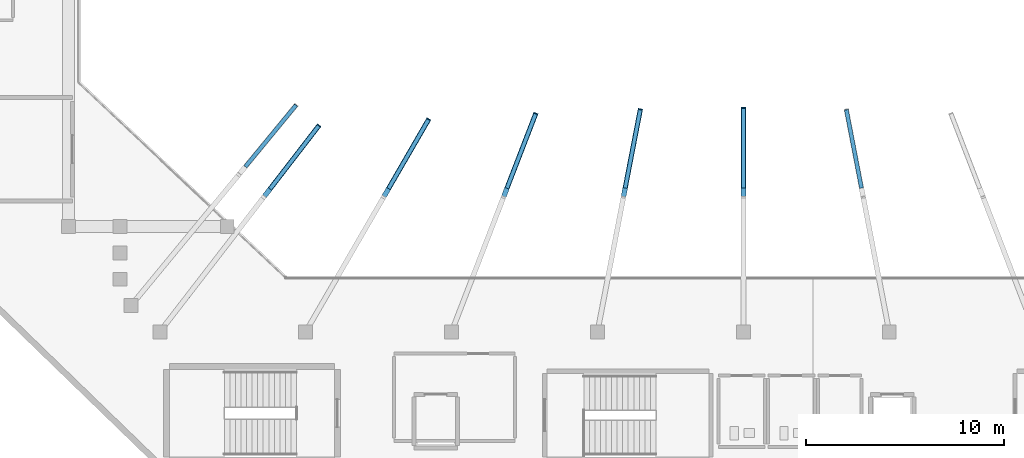
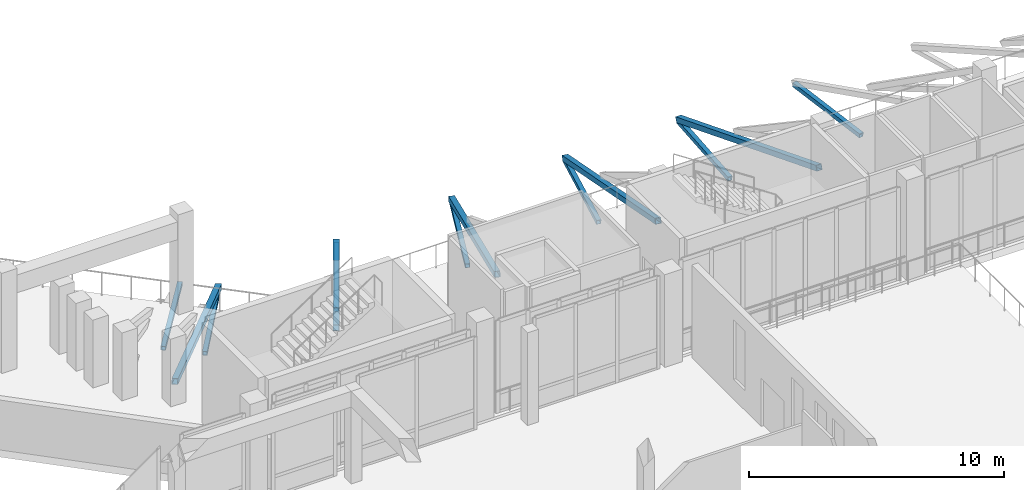
# One storey, part 14 of 79: 12 members.
"""IFC4 building model written with IfcOpenShell, lengths in metres."""

from ifc_helpers import new_model, si_unit, derived_unit, direction, frame, origin, origin_2d, place, context, subcontext, project, spatial, hollow_rectangle, extrude, material, material_profile, profile_set, type_object, element, save


model = new_model("IFC4")

# Units and contexts
model_context = context("Model", 3, precision=1e-05, world=origin(), true_north=direction((0.0, 1.0)))
body_context = subcontext(model_context, "Body", "Model", "MODEL_VIEW")
ifc_project = project(units=[si_unit("LENGTHUNIT", "METRE"), si_unit("AREAUNIT", "SQUARE_METRE"), si_unit("VOLUMEUNIT", "CUBIC_METRE"), si_unit("PLANEANGLEUNIT", "RADIAN"), si_unit("MASSUNIT", "GRAM", prefix="KILO"), derived_unit("THERMALTRANSMITTANCEUNIT", [(si_unit("MASSUNIT", "GRAM", prefix="KILO"), 1), (si_unit("TIMEUNIT", "SECOND"), -3), (si_unit("THERMODYNAMICTEMPERATUREUNIT", "KELVIN"), -1)])], contexts=[model_context])

# Site, building, storey
site_placement = place(None, origin())
site = spatial("IfcSite", under=ifc_project, at=site_placement, CompositionType="ELEMENT")
building_placement = place(site_placement, origin())
building = spatial("IfcBuilding", under=site, at=building_placement, Name="Valcora Ridge Arena", CompositionType="ELEMENT")
storey_placement = place(building_placement, frame((0.0, 0.0, 16.199951171875)))
storey = spatial("IfcBuildingStorey", under=building, at=storey_placement, Name="L03", CompositionType="ELEMENT", Elevation=16.199951171875)

# Members
ifc_material = material(Name="Steel ASTM A500 Grade C", Category="steel")
ifc_material_profile_1 = material_profile(ifc_material, hollow_rectangle(XDim=0.25, YDim=0.25, WallThickness=0.012451171875, at=origin_2d()), Name="HSS250X250X12")
ifc_profile_set_1 = profile_set([ifc_material_profile_1], Name="Steel ASTM A500 Grade C")
member_type_1 = type_object("IfcMemberType", Name="TY-MEMBER-RKRUC-250", PredefinedType="CHORD", material=ifc_profile_set_1)
member_1_placement = place(storey_placement, frame((36.614013671875, 37.6884765625, -3.661865234375), z_axis=(-0.578281690327, -0.749615756216, 0.321972832184), x_axis=(0.791778844061, -0.610807876585, 0.0)))
element("IfcMember", 1, at=member_1_placement, inside=storey, type_object=member_type_1, Name="RKRUC-250 MBR-RK-RKRUC-250-0001", PredefinedType="CHORD", context=body_context, shape_type="SweptSolid", body=[
    extrude(hollow_rectangle(XDim=0.25, YDim=0.25, WallThickness=0.012451171875, at=origin_2d()), origin(), (0.0, 0.0, 1.0), 13.578125),
])
member_2_placement = place(storey_placement, frame((42.143798828125, 38.005126953125, -3.658935546875), z_axis=(-0.471126459717, -0.814253761268, 0.339161718382), x_axis=(0.865556981628, -0.500810454719, 0.0)))
element("IfcMember", 2, at=member_2_placement, inside=storey, type_object=member_type_1, Name="RKRUC-250 MBR-RK-RKRUC-250-0002", PredefinedType="CHORD", context=body_context, shape_type="SweptSolid", body=[
    extrude(hollow_rectangle(XDim=0.25, YDim=0.25, WallThickness=0.012451171875, at=origin_2d()), origin(), (0.0, 0.0, 1.0), 12.866943359375),
])
member_3_placement = place(storey_placement, frame((47.540771484375, 38.294921875, -3.65625), z_axis=(-0.336599744452, -0.872693897032, 0.353703228876), x_axis=(0.93300552031, -0.359862055615, 0.0)))
element("IfcMember", 3, at=member_3_placement, inside=storey, type_object=member_type_1, Name="RKRUC-250 MBR-RK-RKRUC-250-0003", PredefinedType="CHORD", context=body_context, shape_type="SweptSolid", body=[
    extrude(hollow_rectangle(XDim=0.25, YDim=0.25, WallThickness=0.012451171875, at=origin_2d()), origin(), (0.0, 0.0, 1.0), 12.31884765625),
])
member_4_placement = place(storey_placement, frame((52.810791015625, 38.5048828125, -3.654541015625), z_axis=(-0.176386064214, -0.914686567502, 0.363643286179), x_axis=(0.981909805174, -0.189349239512, 0.0)))
element("IfcMember", 4, at=member_4_placement, inside=storey, type_object=member_type_1, Name="RKRUC-250 MBR-RK-RKRUC-250-0004", PredefinedType="CHORD", context=body_context, shape_type="SweptSolid", body=[
    extrude(hollow_rectangle(XDim=0.25, YDim=0.25, WallThickness=0.012451171875, at=origin_2d()), origin(), (0.0, 0.0, 1.0), 11.969970703125),
])
member_5_placement = place(storey_placement, frame((58.0, 38.58251953125, -3.65380859375), z_axis=(0.0, -0.930149481104, 0.367181076312), x_axis=(1.0, 0.0, 0.0)))
element("IfcMember", 5, at=member_5_placement, inside=storey, type_object=member_type_1, Name="RKRUC-250 MBR-RK-RKRUC-250-0005", PredefinedType="CHORD", context=body_context, shape_type="SweptSolid", body=[
    extrude(hollow_rectangle(XDim=0.25, YDim=0.25, WallThickness=0.012451171875, at=origin_2d()), origin(), (0.0, 0.0, 1.0), 11.849853515625),
])
ifc_material_profile_2 = material_profile(ifc_material, hollow_rectangle(XDim=0.199951171875, YDim=0.199951171875, WallThickness=0.012451171875, at=origin_2d()), Name="HSS200X200X12")
ifc_profile_set_2 = profile_set([ifc_material_profile_2], Name="Steel ASTM A500 Grade C")
member_type_2 = type_object("IfcMemberType", Name="TY-MEMBER-RKRUW-200", PredefinedType="STRUT", material=ifc_profile_set_2)
for number, where, z_axis, x_axis, name in (
    (6, (36.608642578125, 37.681396484375, -3.7353515625), (-0.608616217941, -0.788890803568, -0.085074081276), (0.791761232024, -0.610830706059, 0.0), "RKRUW-200 Raker Web Strut"),
    (7, (42.138671875, 37.99658203125, -3.7353515625), (-0.498976063093, -0.862430009159, -0.085072720442), (0.865567913668, -0.50079156026, 0.0), "RKRUW-200 Raker Web Strut"),
    (8, (47.536865234375, 38.28466796875, -3.7353515625), (-0.35854704667, -0.929627054372, -0.085073821491), (0.933009539695, -0.35985163448, 0.0), "RKRUW-200 Raker Web Strut"),
):
    element("IfcMember", number, at=place(storey_placement, frame(where, z_axis=z_axis, x_axis=x_axis)), inside=storey, type_object=member_type_2, Name=name, PredefinedType="STRUT", context=body_context, shape_type="SweptSolid", body=[
        extrude(hollow_rectangle(XDim=0.199951171875, YDim=0.199951171875, WallThickness=0.012451171875, at=origin_2d()), origin(), (0.0, 0.0, 1.0), 4.0263671875),
    ])
member_6_placement = place(storey_placement, frame((52.80859375, 38.493408203125, -3.7353515625), z_axis=(-0.188648490649, -0.978352538777, -0.085076770293), x_axis=(0.981912561858, -0.189334943594, 0.0)))
element("IfcMember", 9, at=member_6_placement, inside=storey, type_object=member_type_2, Name="RKRUW-200 Raker Web Strut", PredefinedType="STRUT", context=body_context, shape_type="SweptSolid", body=[
    extrude(hollow_rectangle(XDim=0.199951171875, YDim=0.199951171875, WallThickness=0.012451171875, at=origin_2d()), origin(), (0.0, 0.0, 1.0), 4.026123046875),
])
member_7_placement = place(storey_placement, frame((58.0, 38.57080078125, -3.7353515625), z_axis=(0.0, -0.996374750943, -0.085072649439), x_axis=(1.0, 0.0, 0.0)))
element("IfcMember", 10, at=member_7_placement, inside=storey, type_object=member_type_2, Name="RKRUW-200 Raker Web Strut", PredefinedType="STRUT", context=body_context, shape_type="SweptSolid", body=[
    extrude(hollow_rectangle(XDim=0.199951171875, YDim=0.199951171875, WallThickness=0.012451171875, at=origin_2d()), origin(), (0.0, 0.0, 1.0), 4.0263671875),
])
for number, where, z_axis, x_axis, name in (
    (11, (63.19140625, 38.493408203125, -3.7353515625), (0.188648490649, -0.978352538777, -0.085076770293), (0.981912561858, 0.189334943594, 0.0), "RKRUW-200 Raker Web Strut"),
    (12, (35.46484375, 38.7216796875, -3.7353515625), (-0.633379030858, -0.76915075418, -0.085077145074), (0.771949559912, -0.635683786919, 0.0), "RKRUW-200 Raker Web Strut"),
):
    element("IfcMember", number, at=place(storey_placement, frame(where, z_axis=z_axis, x_axis=x_axis)), inside=storey, type_object=member_type_2, Name=name, PredefinedType="STRUT", context=body_context, shape_type="SweptSolid", body=[
        extrude(hollow_rectangle(XDim=0.199951171875, YDim=0.199951171875, WallThickness=0.012451171875, at=origin_2d()), origin(), (0.0, 0.0, 1.0), 4.026123046875),
    ])

save(model, "model.ifc")
